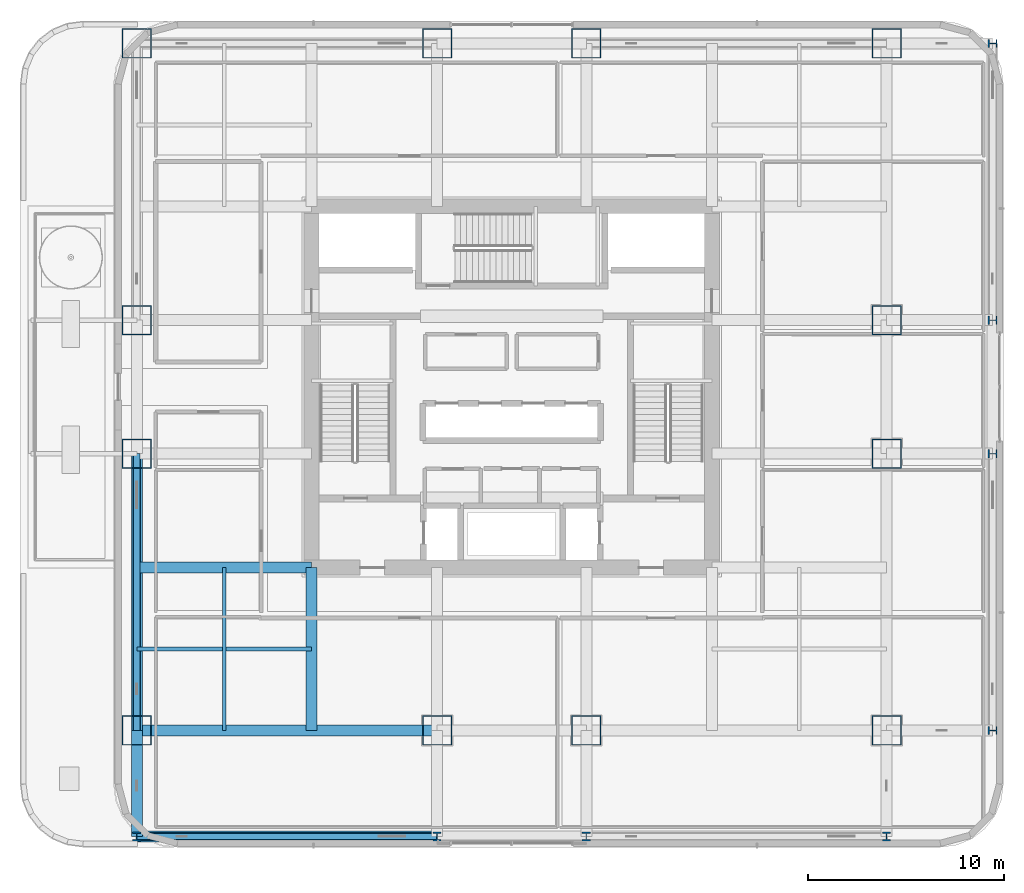
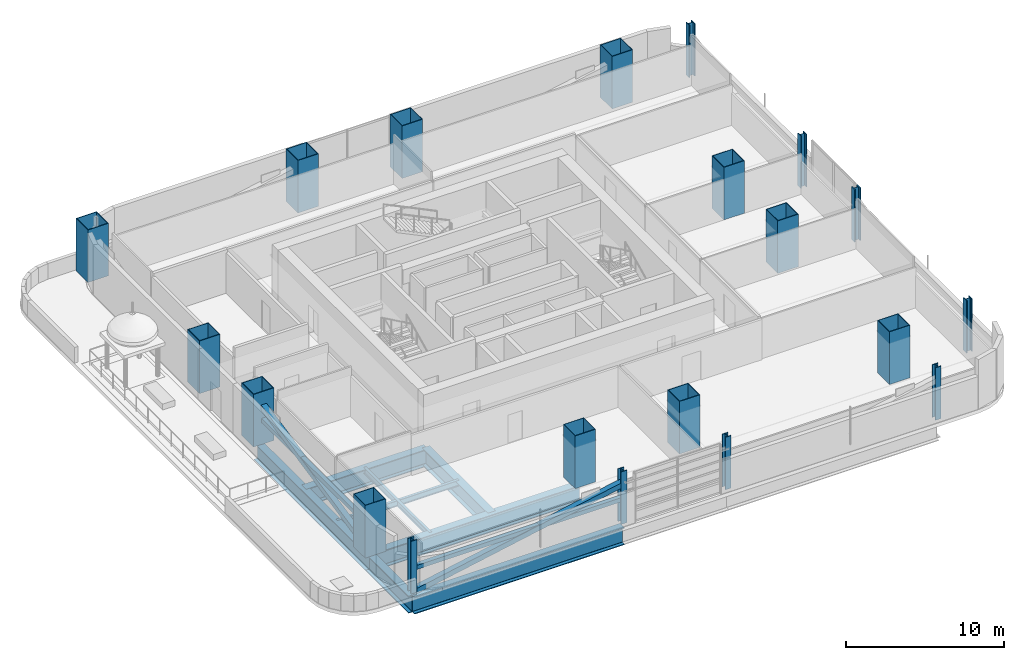
# One storey, part 1 of 27: 20 columns, 8 beams, 4 members.
"""IFC4 building model written with IfcOpenShell, lengths in metres."""

from ifc_helpers import new_model, si_unit, direction, frame, origin, origin_2d, place, context, subcontext, project, spatial, hollow_rectangle, i_section, extrude, material, material_profile, profile_set, type_object, element, save


model = new_model("IFC4")

# Units and contexts
model_context = context("Model", 3, precision=1e-05, world=origin(), true_north=direction((0.0, 1.0)))
body_context = subcontext(model_context, "Body", "Model", "MODEL_VIEW")
ifc_project = project(units=[si_unit("LENGTHUNIT", "METRE"), si_unit("AREAUNIT", "SQUARE_METRE"), si_unit("VOLUMEUNIT", "CUBIC_METRE"), si_unit("PLANEANGLEUNIT", "RADIAN"), si_unit("MASSUNIT", "GRAM", prefix="KILO")], contexts=[model_context])

# Site, building, storey
site_placement = place(None, origin())
site = spatial("IfcSite", under=ifc_project, at=site_placement, CompositionType="ELEMENT")
building_placement = place(site_placement, origin())
building = spatial("IfcBuilding", under=site, at=building_placement, Name="Punatoya Terracotta Tower", CompositionType="ELEMENT")
storey_placement = place(building_placement, frame((0.0, 0.0, 60.60009765625)))
storey = spatial("IfcBuildingStorey", under=building, at=storey_placement, Name="L13", CompositionType="ELEMENT", Elevation=60.60009765625)

# Columns
ifc_material_1 = material(Name="Steel S460", Category="steel")
ifc_material_profile_1 = material_profile(ifc_material_1, i_section(OverallWidth=0.416015625, OverallDepth=0.446044921875, WebThickness=0.0390625, FlangeThickness=0.06201171875, FilletRadius=0.01806640625, at=origin_2d()))
ifc_profile_set_1 = profile_set([ifc_material_profile_1], Name="Steel S460")
column_type_1 = type_object("IfcColumnType", Name="COL-EX-M1", PredefinedType="COLUMN", material=ifc_profile_set_1)
for number, where, z_axis, x_axis, name in (
    (1, (-19.10009765625, -22.89990234375, 0.0), (0.0, 0.0, 1.0), (1.0, 0.0, 0.0), "L13 Exoskeleton Perimeter Column S1"),
    (2, (-3.800048828125, -22.89990234375, 0.0), (0.0, 0.0, 1.0), (1.0, 0.0, 0.0), "L13 Exoskeleton Perimeter Column S2"),
    (3, (3.800048828125, -22.89990234375, 0.0), (0.0, 0.0, 1.0), (1.0, 0.0, 0.0), "L13 Exoskeleton Perimeter Column S3"),
    (4, (19.10009765625, -22.89990234375, 0.0), (0.0, 0.0, 1.0), (1.0, 0.0, 0.0), "L13 Exoskeleton Perimeter Column S4"),
    (5, (24.5, -17.5, 0.0), (0.0, 0.0, 1.0), (0.0, 1.0, 0.0), "L13 Exoskeleton Perimeter Column E1"),
    (6, (24.5, -3.39990234375, 0.0), (0.0, 0.0, 1.0), (0.0, 1.0, 0.0), "L13 Exoskeleton Perimeter Column E2"),
    (7, (24.5, 3.39990234375, 0.0), (0.0, 0.0, 1.0), (0.0, 1.0, 0.0), "L13 Exoskeleton Perimeter Column E3"),
    (8, (24.5, 17.5, 0.0), (0.0, 0.0, 1.0), (0.0, 1.0, 0.0), "L13 Exoskeleton Perimeter Column E4"),
):
    element("IfcColumn", number, at=place(storey_placement, frame(where, z_axis=z_axis, x_axis=x_axis)), inside=storey, type_object=column_type_1, Name=name, PredefinedType="COLUMN", context=body_context, shape_type="SweptSolid", body=[
        extrude(i_section(OverallWidth=0.416015625, OverallDepth=0.446044921875, WebThickness=0.0390625, FlangeThickness=0.06201171875, FilletRadius=0.01806640625, at=origin_2d()), origin(), (0.0, 0.0, 1.0), 4.0478515625),
    ])
ifc_material_profile_2 = material_profile(ifc_material_1, hollow_rectangle(XDim=1.5, YDim=1.5, WallThickness=0.044921875, at=origin_2d()))
ifc_profile_set_2 = profile_set([ifc_material_profile_2], Name="Steel S460")
column_type_2 = type_object("IfcColumnType", Name="COL-MC-Z1", PredefinedType="COLUMN", material=ifc_profile_set_2)
for number, where, z_axis, x_axis, name in (
    (9, (-19.10009765625, -17.5, 0.0), (0.0, 0.0, 1.0), (1.0, 0.0, 0.0), "L13 Composite Mega-Column MC-01 (3-B)"),
    (10, (-3.800048828125, -17.5, 0.0), (0.0, 0.0, 1.0), (1.0, 0.0, 0.0), "L13 Composite Mega-Column MC-02 (5-B)"),
    (11, (3.800048828125, -17.5, 0.0), (0.0, 0.0, 1.0), (1.0, 0.0, 0.0), "L13 Composite Mega-Column MC-03 (7-B)"),
    (12, (19.10009765625, -17.5, 0.0), (0.0, 0.0, 1.0), (1.0, 0.0, 0.0), "L13 Composite Mega-Column MC-04 (9-B)"),
    (13, (19.10009765625, -3.39990234375, 0.0), (0.0, 0.0, 1.0), (1.0, 0.0, 0.0), "L13 Composite Mega-Column MC-05 (9-D)"),
    (14, (19.10009765625, 3.39990234375, 0.0), (0.0, 0.0, 1.0), (1.0, 0.0, 0.0), "L13 Composite Mega-Column MC-06 (9-E)"),
    (15, (19.10009765625, 17.5, 0.0), (0.0, 0.0, 1.0), (1.0, 0.0, 0.0), "L13 Composite Mega-Column MC-07 (9-G)"),
    (16, (3.800048828125, 17.5, 0.0), (0.0, 0.0, 1.0), (1.0, 0.0, 0.0), "L13 Composite Mega-Column MC-08 (7-G)"),
    (17, (-3.800048828125, 17.5, 0.0), (0.0, 0.0, 1.0), (1.0, 0.0, 0.0), "L13 Composite Mega-Column MC-09 (5-G)"),
    (18, (-19.10009765625, 17.5, 0.0), (0.0, 0.0, 1.0), (1.0, 0.0, 0.0), "L13 Composite Mega-Column MC-10 (3-G)"),
    (19, (-19.10009765625, 3.39990234375, 0.0), (0.0, 0.0, 1.0), (1.0, 0.0, 0.0), "L13 Composite Mega-Column MC-11 (3-E)"),
    (20, (-19.10009765625, -3.39990234375, 0.0), (0.0, 0.0, 1.0), (1.0, 0.0, 0.0), "L13 Composite Mega-Column MC-12 (3-D)"),
):
    element("IfcColumn", number, at=place(storey_placement, frame(where, z_axis=z_axis, x_axis=x_axis)), inside=storey, type_object=column_type_2, Name=name, PredefinedType="COLUMN", context=body_context, shape_type="SweptSolid", body=[
        extrude(hollow_rectangle(XDim=1.5, YDim=1.5, WallThickness=0.044921875, at=origin_2d()), origin(), (0.0, 0.0, 1.0), 4.0498046875),
    ])

# Beams
ifc_material_2 = material(Name="Steel S355", Category="steel")
ifc_material_profile_3 = material_profile(ifc_material_2, i_section(OverallWidth=0.18994140625, OverallDepth=0.449951171875, WebThickness=0.009521484375, FlangeThickness=0.0146484375, FilletRadius=0.01806640625, at=origin_2d()))
ifc_profile_set_3 = profile_set([ifc_material_profile_3], Name="Steel S355")
beam_type_1 = type_object("IfcBeamType", Name="BM-SEC-450", PredefinedType="JOIST", material=ifc_profile_set_3)
beam_1_placement = place(storey_placement, frame((-19.10009765625, -13.35009765625, -0.505126953125), z_axis=(1.0, 0.0, 0.0), x_axis=(0.0, 1.0, 0.0)))
element("IfcBeam", 21, at=beam_1_placement, inside=storey, type_object=beam_type_1, Name="BM-L13-SJS-1", PredefinedType="JOIST", context=body_context, shape_type="SweptSolid", body=[
    extrude(i_section(OverallWidth=0.18994140625, OverallDepth=0.449951171875, WebThickness=0.009521484375, FlangeThickness=0.0146484375, FilletRadius=0.01806640625, at=origin_2d()), origin(), (0.0, 0.0, 1.0), 8.900146484375),
])
beam_2_placement = place(storey_placement, frame((-14.64990234375, -17.5, -0.505126953125), z_axis=(0.0, 1.0, 0.0), x_axis=(-1.0, 0.0, 0.0)))
element("IfcBeam", 22, at=beam_2_placement, inside=storey, type_object=beam_type_1, Name="BM-L13-SJW-1", PredefinedType="JOIST", context=body_context, shape_type="SweptSolid", body=[
    extrude(i_section(OverallWidth=0.18994140625, OverallDepth=0.449951171875, WebThickness=0.009521484375, FlangeThickness=0.0146484375, FilletRadius=0.01806640625, at=origin_2d()), origin(), (0.0, 0.0, 1.0), 8.300048828125),
])
ifc_material_profile_4 = material_profile(ifc_material_1, i_section(OverallWidth=0.56005859375, OverallDepth=1.320068359375, WebThickness=0.035888671875, FlangeThickness=0.054931640625, FilletRadius=0.01806640625, at=origin_2d()))
ifc_profile_set_4 = profile_set([ifc_material_profile_4], Name="Steel S460")
beam_type_2 = type_object("IfcBeamType", Name="BM-TG-BLK", PredefinedType="BEAM", material=ifc_profile_set_4)
beam_3_placement = place(storey_placement, frame((-19.10009765625, -17.5, -0.940185546875), z_axis=(1.0, 0.0, 0.0), x_axis=(0.0, 1.0, 0.0)))
element("IfcBeam", 23, at=beam_3_placement, inside=storey, type_object=beam_type_2, Name="BM-L13-RG-S1", PredefinedType="BEAM", context=body_context, shape_type="SweptSolid", body=[
    extrude(i_section(OverallWidth=0.56005859375, OverallDepth=1.320068359375, WebThickness=0.035888671875, FlangeThickness=0.054931640625, FilletRadius=0.01806640625, at=origin_2d()), origin(), (0.0, 0.0, 1.0), 15.300048828125),
])
beam_4_placement = place(storey_placement, frame((-19.10009765625, -17.5, -0.940185546875), z_axis=(0.0, 1.0, 0.0), x_axis=(-1.0, 0.0, 0.0)))
element("IfcBeam", 24, at=beam_4_placement, inside=storey, type_object=beam_type_2, Name="BM-L13-RG-W1", PredefinedType="BEAM", context=body_context, shape_type="SweptSolid", body=[
    extrude(i_section(OverallWidth=0.56005859375, OverallDepth=1.320068359375, WebThickness=0.035888671875, FlangeThickness=0.054931640625, FilletRadius=0.01806640625, at=origin_2d()), origin(), (0.0, 0.0, 1.0), 14.10009765625),
])
beam_5_placement = place(storey_placement, frame((-19.10009765625, -9.199951171875, -0.940185546875), z_axis=(1.0, 0.0, 0.0), x_axis=(0.0, 1.0, 0.0)))
element("IfcBeam", 25, at=beam_5_placement, inside=storey, type_object=beam_type_2, Name="BM-L13-PR-WS", PredefinedType="BEAM", context=body_context, shape_type="SweptSolid", body=[
    extrude(i_section(OverallWidth=0.56005859375, OverallDepth=1.320068359375, WebThickness=0.035888671875, FlangeThickness=0.054931640625, FilletRadius=0.01806640625, at=origin_2d()), origin(), (0.0, 0.0, 1.0), 8.900146484375),
])
beam_6_placement = place(storey_placement, frame((-10.199951171875, -17.5, -0.940185546875), z_axis=(0.0, 1.0, 0.0), x_axis=(-1.0, 0.0, 0.0)))
element("IfcBeam", 26, at=beam_6_placement, inside=storey, type_object=beam_type_2, Name="BM-L13-PR-S1", PredefinedType="BEAM", context=body_context, shape_type="SweptSolid", body=[
    extrude(i_section(OverallWidth=0.56005859375, OverallDepth=1.320068359375, WebThickness=0.035888671875, FlangeThickness=0.054931640625, FilletRadius=0.01806640625, at=origin_2d()), origin(), (0.0, 0.0, 1.0), 8.300048828125),
])
beam_7_placement = place(storey_placement, frame((-19.10009765625, -22.89990234375, -0.940185546875), z_axis=(0.0, 1.0, 0.0), x_axis=(-1.0, 0.0, 0.0)))
element("IfcBeam", 27, at=beam_7_placement, inside=storey, type_object=beam_type_2, Name="BM-L13-CANT-S1", PredefinedType="BEAM", context=body_context, shape_type="SweptSolid", body=[
    extrude(i_section(OverallWidth=0.56005859375, OverallDepth=1.320068359375, WebThickness=0.035888671875, FlangeThickness=0.054931640625, FilletRadius=0.01806640625, at=origin_2d()), origin(), (0.0, 0.0, 1.0), 5.39990234375),
])
beam_8_placement = place(storey_placement, frame((-19.10009765625, -22.89990234375, -0.940185546875), z_axis=(1.0, 0.0, 0.0), x_axis=(0.0, 1.0, 0.0)))
element("IfcBeam", 28, at=beam_8_placement, inside=storey, type_object=beam_type_2, Name="BM-L13-PER-S1", PredefinedType="BEAM", context=body_context, shape_type="SweptSolid", body=[
    extrude(i_section(OverallWidth=0.56005859375, OverallDepth=1.320068359375, WebThickness=0.035888671875, FlangeThickness=0.054931640625, FilletRadius=0.01806640625, at=origin_2d()), origin(), (0.0, 0.0, 1.0), 15.300048828125),
])

# Members
ifc_material_profile_5 = material_profile(ifc_material_1, hollow_rectangle(XDim=0.320068359375, YDim=0.320068359375, WallThickness=0.01806640625, at=origin_2d()))
ifc_profile_set_5 = profile_set([ifc_material_profile_5], Name="Steel S460")
member_type_1 = type_object("IfcMemberType", Name="MEM-CHD-320", PredefinedType="CHORD", material=ifc_profile_set_5)
member_1_placement = place(storey_placement, frame((-19.10009765625, -22.89990234375, 1.849853515625), z_axis=(1.0, 0.0, 0.0), x_axis=(0.0, 1.0, 0.0)))
element("IfcMember", 29, at=member_1_placement, inside=storey, type_object=member_type_1, Name="L13 Exoskeleton Belt Truss Tie Chord S1", PredefinedType="CHORD", context=body_context, shape_type="SweptSolid", body=[
    extrude(hollow_rectangle(XDim=0.320068359375, YDim=0.320068359375, WallThickness=0.01806640625, at=origin_2d()), origin(), (0.0, 0.0, 1.0), 15.300048828125),
])
member_2_placement = place(storey_placement, frame((-19.10009765625, -17.5, 1.849853515625), z_axis=(0.0, 1.0, 0.0), x_axis=(-1.0, 0.0, 0.0)))
element("IfcMember", 30, at=member_2_placement, inside=storey, type_object=member_type_1, Name="L13 Exoskeleton Belt Truss Tie Chord W1", PredefinedType="CHORD", context=body_context, shape_type="SweptSolid", body=[
    extrude(hollow_rectangle(XDim=0.320068359375, YDim=0.320068359375, WallThickness=0.01806640625, at=origin_2d()), origin(), (0.0, 0.0, 1.0), 14.10009765625),
])
ifc_material_profile_6 = material_profile(ifc_material_1, hollow_rectangle(XDim=0.39990234375, YDim=0.39990234375, WallThickness=0.02197265625, at=origin_2d()))
ifc_profile_set_6 = profile_set([ifc_material_profile_6], Name="Steel S460")
member_type_2 = type_object("IfcMemberType", Name="MEM-EXO-400", PredefinedType="BRACE", material=ifc_profile_set_6)
member_3_placement = place(storey_placement, frame((-19.10009765625, -22.89990234375, 0.02001953125), z_axis=(0.981434908309, 0.0, 0.191795518072), x_axis=(0.0, 1.0, 0.0)))
element("IfcMember", 31, at=member_3_placement, inside=storey, type_object=member_type_2, Name="L13 Exoskeleton Belt Brace S1", PredefinedType="BRACE", context=body_context, shape_type="SweptSolid", body=[
    extrude(hollow_rectangle(XDim=0.39990234375, YDim=0.39990234375, WallThickness=0.02197265625, at=origin_2d()), origin(), (0.0, 0.0, 1.0), 15.58935546875),
])
member_4_placement = place(storey_placement, frame((-19.10009765625, -17.5, 0.02001953125), z_axis=(0.0, 0.978247355132, 0.207441828415), x_axis=(-1.0, 0.0, 0.0)))
element("IfcMember", 32, at=member_4_placement, inside=storey, type_object=member_type_2, Name="L13 Exoskeleton Belt Brace W1", PredefinedType="BRACE", context=body_context, shape_type="SweptSolid", body=[
    extrude(hollow_rectangle(XDim=0.39990234375, YDim=0.39990234375, WallThickness=0.02197265625, at=origin_2d()), origin(), (0.0, 0.0, 1.0), 14.41357421875),
])

save(model, "model.ifc")
